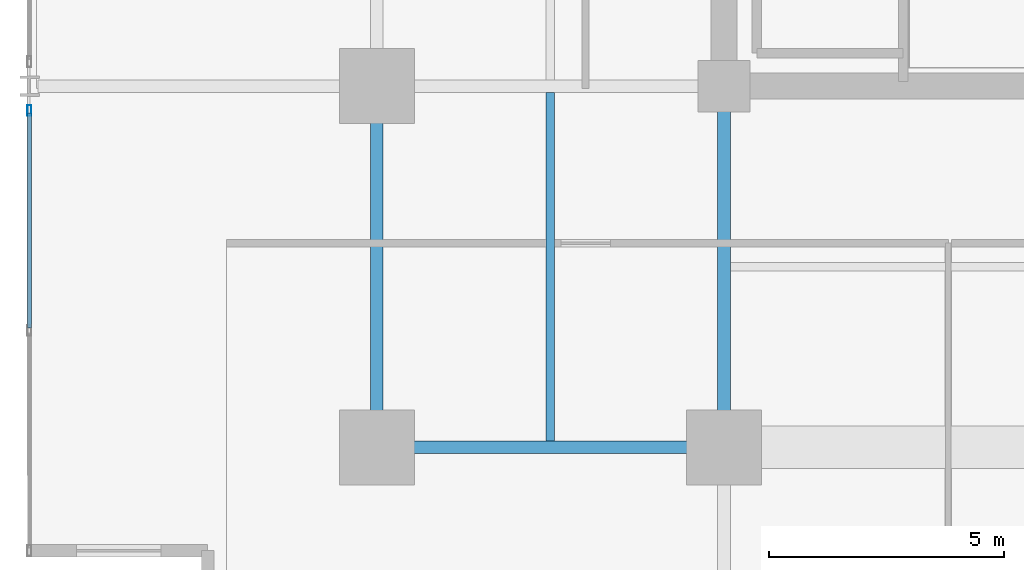
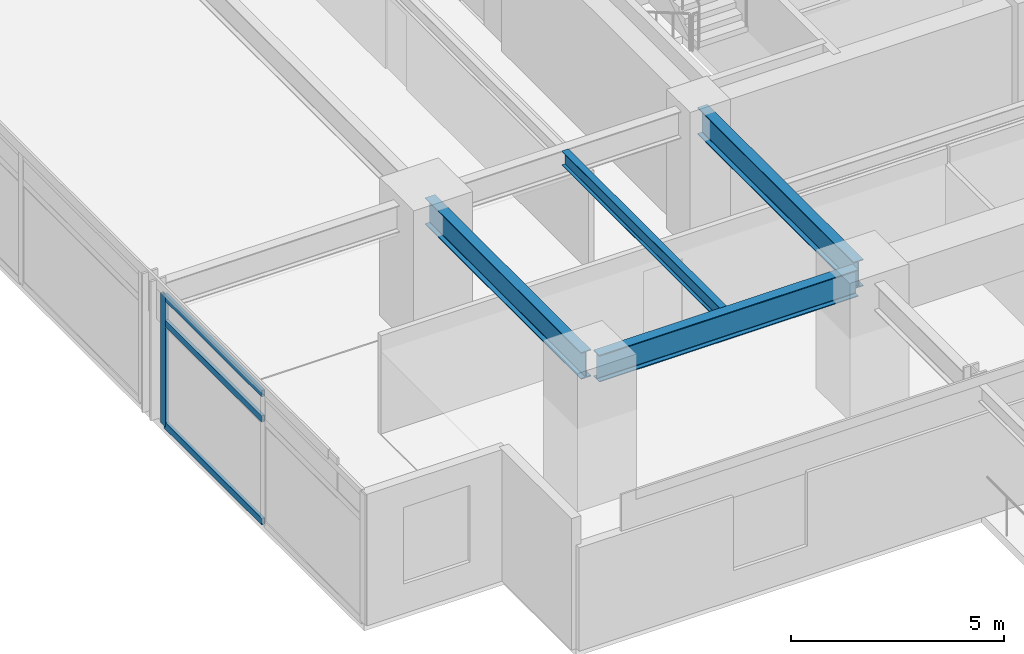
# One storey, part 3 of 23: 4 beams, 4 members, 1 element without a shape of its own.
"""IFC4 building model written with IfcOpenShell, lengths in metres."""

from ifc_helpers import new_model, si_unit, direction, frame, origin, origin_2d, place, context, subcontext, project, spatial, hollow_rectangle, i_section, extrude, material, material_profile, profile_set, type_object, element, aggregate, save


model = new_model("IFC4")

# Units and contexts
model_context = context("Model", 3, precision=1e-05, world=origin(), true_north=direction((0.0, 1.0)))
body_context = subcontext(model_context, "Body", "Model", "MODEL_VIEW")
ifc_project = project(units=[si_unit("LENGTHUNIT", "METRE"), si_unit("AREAUNIT", "SQUARE_METRE"), si_unit("VOLUMEUNIT", "CUBIC_METRE"), si_unit("PLANEANGLEUNIT", "RADIAN"), si_unit("MASSUNIT", "GRAM", prefix="KILO")], contexts=[model_context])

# Site, building, storey
site_placement = place(None, origin())
site = spatial("IfcSite", under=ifc_project, at=site_placement, CompositionType="ELEMENT")
building_placement = place(site_placement, origin())
building = spatial("IfcBuilding", under=site, at=building_placement, Name="Kovane Verandah Tower", CompositionType="ELEMENT")
storey_placement = place(building_placement, frame((0.0, 0.0, 148.39990234375)))
storey = spatial("IfcBuildingStorey", under=building, at=storey_placement, Name="L34", CompositionType="ELEMENT", Elevation=148.39990234375)

# Beams
ifc_material_1 = material(Name="Steel S355", Category="steel")
ifc_material_profile_1 = material_profile(ifc_material_1, i_section(OverallWidth=0.26806640625, OverallDepth=0.769775390625, WebThickness=0.015625, FlangeThickness=0.025390625, FilletRadius=0.0166015625, at=origin_2d()), Name="UB762x267x197")
ifc_profile_set_1 = profile_set([ifc_material_profile_1], Name="Steel S355")
beam_type_1 = type_object("IfcBeamType", Name="BM-UB762x197", PredefinedType="BEAM", material=ifc_profile_set_1)
beam_1_placement = place(storey_placement, frame((21.780029296875, 10.800048828125, 3.39013671875), z_axis=(1.0, 0.0, 0.0), x_axis=(0.0, 1.0, 0.0)))
element("IfcBeam", 1, at=beam_1_placement, inside=storey, type_object=beam_type_1, Name="L34 Primary Tower Girder G-RS1", PredefinedType="BEAM", context=body_context, shape_type="SweptSolid", body=[
    extrude(i_section(OverallWidth=0.26806640625, OverallDepth=0.769775390625, WebThickness=0.015625, FlangeThickness=0.025390625, FilletRadius=0.0166015625, at=origin_2d()), origin(), (0.0, 0.0, 1.0), 7.0400390625),
])
for number, where, z_axis, x_axis, name in (
    (2, (21.60009765625, 10.97998046875, 3.39013671875), (0.0, 1.0, 0.0), (-1.0, 0.0, 0.0), "L34 Primary Tower Girder G-RW1"),
    (3, (29.0, 18.320068359375, 3.39013671875), (0.0, -1.0, 0.0), (1.0, 0.0, 0.0), "L34 Primary Tower Girder G-S1"),
):
    element("IfcBeam", number, at=place(storey_placement, frame(where, z_axis=z_axis, x_axis=x_axis)), inside=storey, type_object=beam_type_1, Name=name, PredefinedType="BEAM", context=body_context, shape_type="SweptSolid", body=[
        extrude(i_section(OverallWidth=0.26806640625, OverallDepth=0.769775390625, WebThickness=0.015625, FlangeThickness=0.025390625, FilletRadius=0.0166015625, at=origin_2d()), origin(), (0.0, 0.0, 1.0), 7.340087890625),
    ])

# Curtain wall, members
ifc_material_2 = material(Name="Champagne Anodised Aluminium Frame with Low-E Clear Laminated Glass", Category="aluminium")
curtain_wall_type = type_object("IfcCurtainWallType", Name="CW-SYS-03-MID", PredefinedType="NOTDEFINED", material=ifc_material_2)
curtain_wall_placement = place(storey_placement, origin())
curtain_wall = element("IfcCurtainWall", 4, at=curtain_wall_placement, inside=storey, type_object=curtain_wall_type, Name="L34 W Unitised Curtain Wall-3", PredefinedType="NOTDEFINED")
ifc_material_3 = material(Name="Champagne Anodised Aluminium 6063-T6", Category="aluminium")
ifc_material_profile_2 = material_profile(ifc_material_3, hollow_rectangle(XDim=0.0849609375, YDim=0.22998046875, WallThickness=0.00390625, at=origin_2d()), Name="AL85x230x4")
ifc_profile_set_2 = profile_set([ifc_material_profile_2], Name="Champagne Anodised Aluminium 6063-T6")
member_type_1 = type_object("IfcMemberType", Name="CW-MUL-85x230", PredefinedType="MULLION", material=ifc_profile_set_2)
member_1_placement = place(storey_placement, frame((14.19482421875, 17.97998046875, 0.02001953125), z_axis=(0.0, 0.0, 1.0), x_axis=(-1.0, 0.0, 0.0)))
member_1 = element("IfcMember", 5, at=member_1_placement, type_object=member_type_1, Name="L34 W Unitised Curtain Wall-3 Mullion 1", PredefinedType="MULLION", context=body_context, shape_type="SweptSolid", body=[
    extrude(hollow_rectangle(XDim=0.0849609375, YDim=0.22998046875, WallThickness=0.00390625, at=origin_2d()), origin(), (0.0, 0.0, 1.0), 3.735107421875),
])
ifc_material_profile_3 = material_profile(ifc_material_3, hollow_rectangle(XDim=0.0849609375, YDim=0.18994140625, WallThickness=0.00390625, at=origin_2d()), Name="AL85x190x4")
ifc_profile_set_3 = profile_set([ifc_material_profile_3], Name="Champagne Anodised Aluminium 6063-T6")
member_type_2 = type_object("IfcMemberType", Name="CW-TRN-85x190", PredefinedType="USERDEFINED", material=ifc_profile_set_3)
member_2_placement = place(storey_placement, frame((14.19482421875, 17.929931640625, 0.050048828125), z_axis=(0.0, -1.0, 0.0), x_axis=(1.0, 0.0, 0.0)))
member_2 = element("IfcMember", 6, at=member_2_placement, type_object=member_type_2, Name="L34 W Unitised Curtain Wall-3 Transom TB Bay 1", ObjectType="TRANSOM", PredefinedType="USERDEFINED", context=body_context, shape_type="SweptSolid", body=[
    extrude(hollow_rectangle(XDim=0.0849609375, YDim=0.18994140625, WallThickness=0.00390625, at=origin_2d()), origin(), (0.0, 0.0, 1.0), 4.591796875),
])
member_3_placement = place(storey_placement, frame((14.19482421875, 17.929931640625, 2.9951171875), z_axis=(0.0, -1.0, 0.0), x_axis=(1.0, 0.0, 0.0)))
member_3 = element("IfcMember", 7, at=member_3_placement, type_object=member_type_2, Name="L34 W Unitised Curtain Wall-3 Transom TM Bay 1", ObjectType="TRANSOM", PredefinedType="USERDEFINED", context=body_context, shape_type="SweptSolid", body=[
    extrude(hollow_rectangle(XDim=0.0849609375, YDim=0.18994140625, WallThickness=0.00390625, at=origin_2d()), origin(), (0.0, 0.0, 1.0), 4.591796875),
])
member_4_placement = place(storey_placement, frame((14.19482421875, 17.929931640625, 3.72509765625), z_axis=(0.0, -1.0, 0.0), x_axis=(1.0, 0.0, 0.0)))
member_4 = element("IfcMember", 8, at=member_4_placement, type_object=member_type_2, Name="L34 W Unitised Curtain Wall-3 Transom TT Bay 1", ObjectType="TRANSOM", PredefinedType="USERDEFINED", context=body_context, shape_type="SweptSolid", body=[
    extrude(hollow_rectangle(XDim=0.0849609375, YDim=0.18994140625, WallThickness=0.00390625, at=origin_2d()), origin(), (0.0, 0.0, 1.0), 4.591796875),
])
aggregate(curtain_wall, [member_1, member_2, member_3, member_4])

# Beam
ifc_material_profile_4 = material_profile(ifc_material_1, i_section(OverallWidth=0.179443359375, OverallDepth=0.412841796875, WebThickness=0.009521484375, FlangeThickness=0.01611328125, FilletRadius=0.01025390625, at=origin_2d()), Name="UB406x178x74")
ifc_profile_set_4 = profile_set([ifc_material_profile_4], Name="Steel S355")
beam_type_2 = type_object("IfcBeamType", Name="JST-UB406x74", PredefinedType="JOIST", material=ifc_profile_set_4)
beam_2_placement = place(storey_placement, frame((25.300048828125, 10.931884765625, 3.568603515625), z_axis=(0.0, 1.0, 0.0), x_axis=(-1.0, 0.0, 0.0)))
element("IfcBeam", 9, at=beam_2_placement, inside=storey, type_object=beam_type_2, Name="L34 Secondary Composite Joist J-SW1", PredefinedType="JOIST", context=body_context, shape_type="SweptSolid", body=[
    extrude(i_section(OverallWidth=0.179443359375, OverallDepth=0.412841796875, WebThickness=0.009521484375, FlangeThickness=0.01611328125, FilletRadius=0.01025390625, at=origin_2d()), origin(), (0.0, 0.0, 1.0), 7.43603515625),
])

save(model, "model.ifc")
